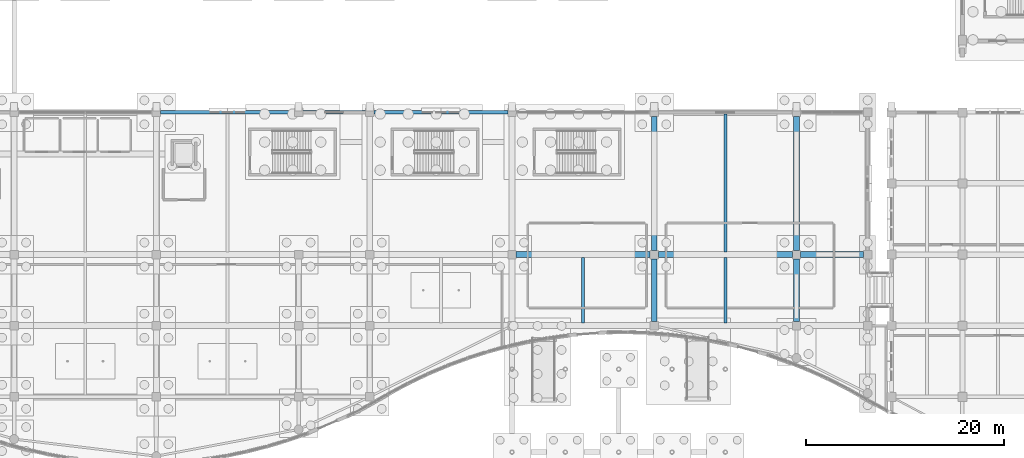
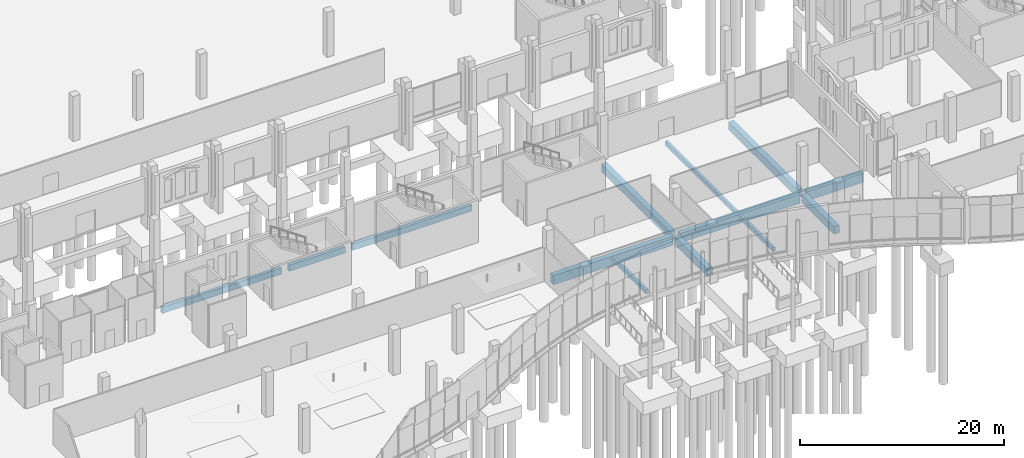
# One storey, part 54 of 192: 13 beams.
"""IFC4 building model written with IfcOpenShell, lengths in metres."""

from ifc_helpers import new_model, si_unit, direction, frame, origin, origin_2d, place, context, subcontext, project, spatial, rectangle, extrude, material, material_profile, profile_set, type_object, element, save


model = new_model("IFC4")

# Units and contexts
model_context = context("Model", 3, precision=1e-05, world=origin(), true_north=direction((0.0, 1.0)))
body_context = subcontext(model_context, "Body", "Model", "MODEL_VIEW")
ifc_project = project(units=[si_unit("LENGTHUNIT", "METRE"), si_unit("AREAUNIT", "SQUARE_METRE"), si_unit("VOLUMEUNIT", "CUBIC_METRE"), si_unit("PLANEANGLEUNIT", "RADIAN"), si_unit("MASSUNIT", "GRAM", prefix="KILO")], contexts=[model_context])

# Site, building, storey
site_placement = place(None, origin())
site = spatial("IfcSite", under=ifc_project, at=site_placement, CompositionType="ELEMENT")
building_placement = place(site_placement, origin())
building = spatial("IfcBuilding", under=site, at=building_placement, Name="Cendralis Lancet Convention Centre", CompositionType="ELEMENT")
storey_placement = place(building_placement, origin())
storey = spatial("IfcBuildingStorey", under=building, at=storey_placement, Name="L00", CompositionType="ELEMENT", Elevation=0.0)

# Beams
ifc_material_1 = material(Name="Concrete G40 (C40/50)", Category="concrete")
ifc_material_profile_1 = material_profile(ifc_material_1, rectangle(XDim=0.60009765625, YDim=1.10009765625, at=origin_2d()), Name="RCB 600x1100")
ifc_profile_set_1 = profile_set([ifc_material_profile_1], Name="Concrete G40 (C40/50)")
beam_type_1 = type_object("IfcBeamType", Name="STR-BM-BG02", PredefinedType="BEAM", material=ifc_profile_set_1)
for number, where, z_axis, x_axis, name in (
    (1, (94.02490234375, 21.60009765625, -0.8701171875), (1.0, 0.0, 0.0), (0.0, 1.0, 0.0), "L00 Beam BG02 #0679"),
    (2, (108.425048828125, 21.60009765625, -0.8701171875), (1.0, 0.0, 0.0), (0.0, 1.0, 0.0), "L00 Beam BG02 #0680"),
):
    element("IfcBeam", number, at=place(storey_placement, frame(where, z_axis=z_axis, x_axis=x_axis)), inside=storey, type_object=beam_type_1, Name=name, PredefinedType="BEAM", context=body_context, shape_type="SweptSolid", body=[
        extrude(rectangle(XDim=0.60009765625, YDim=1.10009765625, at=origin_2d()), origin(), (0.0, 0.0, 1.0), 13.550048828125),
    ])
beam_1_placement = place(storey_placement, frame((122.824951171875, 21.60009765625, -0.8701171875), z_axis=(1.0, 0.0, 0.0), x_axis=(0.0, 1.0, 0.0)))
element("IfcBeam", 3, at=beam_1_placement, inside=storey, type_object=beam_type_1, Name="L00 Beam BG02 #0681", PredefinedType="BEAM", context=body_context, shape_type="SweptSolid", body=[
    extrude(rectangle(XDim=0.60009765625, YDim=1.10009765625, at=origin_2d()), origin(), (0.0, 0.0, 1.0), 6.35009765625),
])
ifc_material_profile_2 = material_profile(ifc_material_1, rectangle(XDim=0.60009765625, YDim=0.949951171875, at=origin_2d()), Name="RCB 600x950")
ifc_profile_set_2 = profile_set([ifc_material_profile_2], Name="Concrete G40 (C40/50)")
beam_type_2 = type_object("IfcBeamType", Name="STR-BM-BG04", PredefinedType="BEAM", material=ifc_profile_set_2)
beam_2_placement = place(storey_placement, frame((108.0, 14.824951171875, -0.794921875), z_axis=(0.0, 1.0, 0.0), x_axis=(-1.0, 0.0, 0.0)))
element("IfcBeam", 4, at=beam_2_placement, inside=storey, type_object=beam_type_2, Name="L00 Beam BG04 #0713", PredefinedType="BEAM", context=body_context, shape_type="SweptSolid", body=[
    extrude(rectangle(XDim=0.60009765625, YDim=0.949951171875, at=origin_2d()), origin(), (0.0, 0.0, 1.0), 6.35009765625),
])
beam_3_placement = place(storey_placement, frame((108.0, 22.02490234375, -0.794921875), z_axis=(0.0, 1.0, 0.0), x_axis=(-1.0, 0.0, 0.0)))
element("IfcBeam", 5, at=beam_3_placement, inside=storey, type_object=beam_type_2, Name="L00 Beam BG04 #0714", PredefinedType="BEAM", context=body_context, shape_type="SweptSolid", body=[
    extrude(rectangle(XDim=0.60009765625, YDim=0.949951171875, at=origin_2d()), origin(), (0.0, 0.0, 1.0), 13.550048828125),
])
beam_4_placement = place(storey_placement, frame((122.39990234375, 14.824951171875, -0.794921875), z_axis=(0.0, 1.0, 0.0), x_axis=(-1.0, 0.0, 0.0)))
element("IfcBeam", 6, at=beam_4_placement, inside=storey, type_object=beam_type_2, Name="L00 Beam BG04 #0715", PredefinedType="BEAM", context=body_context, shape_type="SweptSolid", body=[
    extrude(rectangle(XDim=0.60009765625, YDim=0.949951171875, at=origin_2d()), origin(), (0.0, 0.0, 1.0), 6.35009765625),
])
beam_5_placement = place(storey_placement, frame((122.39990234375, 22.02490234375, -0.794921875), z_axis=(0.0, 1.0, 0.0), x_axis=(-1.0, 0.0, 0.0)))
element("IfcBeam", 7, at=beam_5_placement, inside=storey, type_object=beam_type_2, Name="L00 Beam BG04 #0716", PredefinedType="BEAM", context=body_context, shape_type="SweptSolid", body=[
    extrude(rectangle(XDim=0.60009765625, YDim=0.949951171875, at=origin_2d()), origin(), (0.0, 0.0, 1.0), 13.550048828125),
])
ifc_material_2 = material(Name="Concrete G35 (C35/45)", Category="concrete")
ifc_material_profile_3 = material_profile(ifc_material_2, rectangle(XDim=0.300048828125, YDim=0.5, at=origin_2d()), Name="RCB 300x500")
ifc_profile_set_3 = profile_set([ifc_material_profile_3], Name="Concrete G35 (C35/45)")
beam_type_3 = type_object("IfcBeamType", Name="STR-JS-BJ03", PredefinedType="JOIST", material=ifc_profile_set_3)
for number, where, z_axis, x_axis, name in (
    (8, (100.800048828125, 14.675048828125, -0.570068359375), (0.0, 1.0, 0.0), (-1.0, 0.0, 0.0), "L00 Beam BJ03 #0733"),
    (9, (115.199951171875, 14.675048828125, -0.570068359375), (0.0, 1.0, 0.0), (-1.0, 0.0, 0.0), "L00 Beam BJ03 #0734"),
):
    element("IfcBeam", number, at=place(storey_placement, frame(where, z_axis=z_axis, x_axis=x_axis)), inside=storey, type_object=beam_type_3, Name=name, PredefinedType="JOIST", context=body_context, shape_type="SweptSolid", body=[
        extrude(rectangle(XDim=0.300048828125, YDim=0.5, at=origin_2d()), origin(), (0.0, 0.0, 1.0), 6.64990234375),
    ])
beam_6_placement = place(storey_placement, frame((115.199951171875, 21.875, -0.570068359375), z_axis=(0.0, 1.0, 0.0), x_axis=(-1.0, 0.0, 0.0)))
element("IfcBeam", 10, at=beam_6_placement, inside=storey, type_object=beam_type_3, Name="L00 Beam BJ03 #0735", PredefinedType="JOIST", context=body_context, shape_type="SweptSolid", body=[
    extrude(rectangle(XDim=0.300048828125, YDim=0.5, at=origin_2d()), origin(), (0.0, 0.0, 1.0), 13.949951171875),
])
ifc_material_profile_4 = material_profile(ifc_material_1, rectangle(XDim=0.35009765625, YDim=0.75, at=origin_2d()), Name="RCB 350x750")
ifc_profile_set_4 = profile_set([ifc_material_profile_4], Name="Concrete G40 (C40/50)")
beam_type_4 = type_object("IfcBeamType", Name="STR-SP-SP01", PredefinedType="SPANDREL", material=ifc_profile_set_4)
beam_7_placement = place(storey_placement, frame((58.02490234375, 36.0, -0.695068359375), z_axis=(1.0, 0.0, 0.0), x_axis=(0.0, 1.0, 0.0)))
element("IfcBeam", 11, at=beam_7_placement, inside=storey, type_object=beam_type_4, Name="L00 Beam SP01 #0686", PredefinedType="SPANDREL", context=body_context, shape_type="SweptSolid", body=[
    extrude(rectangle(XDim=0.35009765625, YDim=0.75, at=origin_2d()), origin(), (0.0, 0.0, 1.0), 13.550048828125),
])
beam_8_placement = place(storey_placement, frame((72.425048828125, 36.0, -0.695068359375), z_axis=(1.0, 0.0, 0.0), x_axis=(0.0, 1.0, 0.0)))
element("IfcBeam", 12, at=beam_8_placement, inside=storey, type_object=beam_type_4, Name="L00 Beam SP01 #0687", PredefinedType="SPANDREL", context=body_context, shape_type="SweptSolid", body=[
    extrude(rectangle(XDim=0.35009765625, YDim=0.75, at=origin_2d()), origin(), (0.0, 0.0, 1.0), 6.349853515625),
])
beam_9_placement = place(storey_placement, frame((79.625, 36.0, -0.695068359375), z_axis=(1.0, 0.0, 0.0), x_axis=(0.0, 1.0, 0.0)))
element("IfcBeam", 13, at=beam_9_placement, inside=storey, type_object=beam_type_4, Name="L00 Beam SP01 #0688", PredefinedType="SPANDREL", context=body_context, shape_type="SweptSolid", body=[
    extrude(rectangle(XDim=0.35009765625, YDim=0.75, at=origin_2d()), origin(), (0.0, 0.0, 1.0), 13.550048828125),
])

save(model, "model.ifc")
